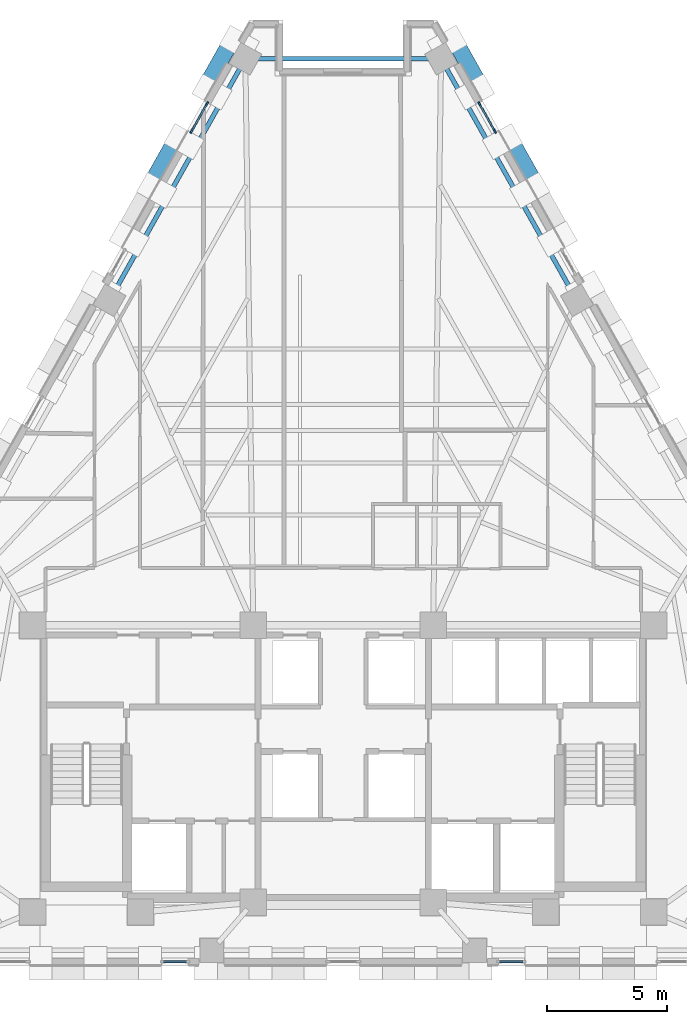
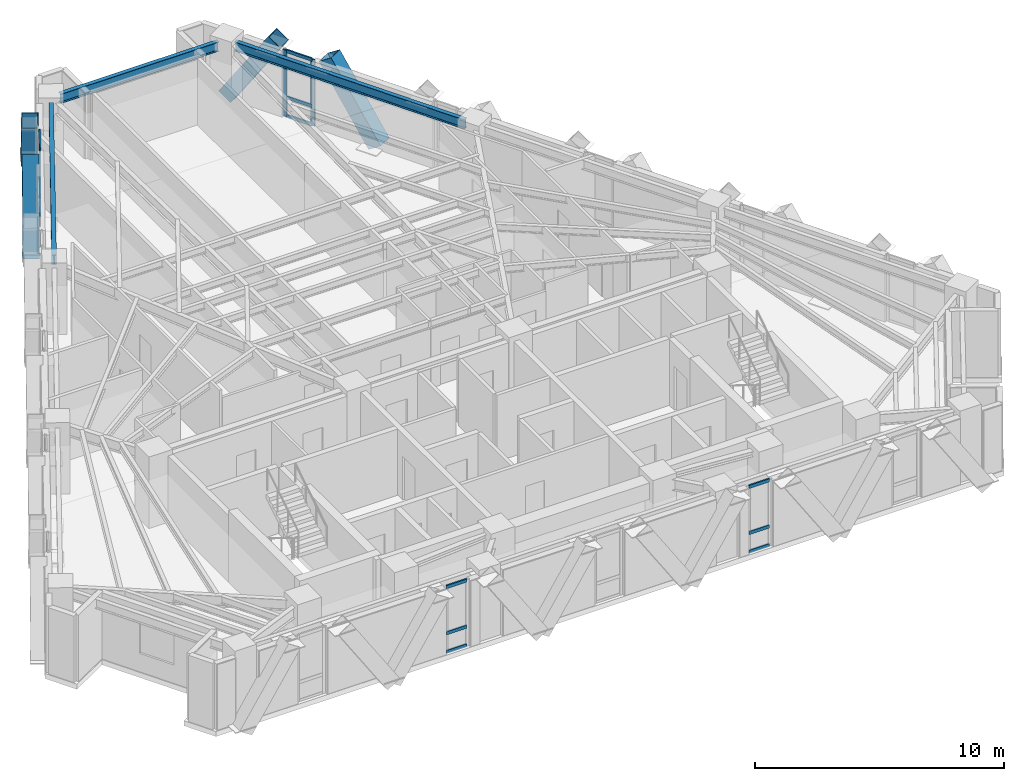
# One storey, part 5 of 13: 20 members, 3 beams, 4 elements without a shape of their own.
"""IFC4 building model written with IfcOpenShell, lengths in metres."""

from ifc_helpers import new_model, si_unit, direction, frame, origin, origin_2d, place, context, subcontext, project, spatial, rectangle, hollow_rectangle, i_section, extrude, material, material_profile, profile_set, type_object, element, aggregate, save


model = new_model("IFC4")

# Units and contexts
model_context = context("Model", 3, precision=1e-05, world=origin(), true_north=direction((0.0, 1.0)))
body_context = subcontext(model_context, "Body", "Model", "MODEL_VIEW")
ifc_project = project(units=[si_unit("LENGTHUNIT", "METRE"), si_unit("AREAUNIT", "SQUARE_METRE"), si_unit("VOLUMEUNIT", "CUBIC_METRE"), si_unit("PLANEANGLEUNIT", "RADIAN"), si_unit("MASSUNIT", "GRAM", prefix="KILO")], contexts=[model_context])

# Site, building, storey
site_placement = place(None, origin())
site = spatial("IfcSite", under=ifc_project, at=site_placement, CompositionType="ELEMENT")
building_placement = place(site_placement, origin())
building = spatial("IfcBuilding", under=site, at=building_placement, Name="Quenlor Broadcast Tower", CompositionType="ELEMENT")
storey_placement = place(building_placement, frame((0.0, 0.0, 172.0)))
storey = spatial("IfcBuildingStorey", under=building, at=storey_placement, Name="L47", CompositionType="ELEMENT", Elevation=172.0)

# Curtain wall, members
ifc_material_1 = material(Name="Architectural Terracotta and Low-E Glazing", Category="masonry")
curtain_wall_type = type_object("IfcCurtainWallType", Name="Unitised Terracotta Curtain Wall System Z3", PredefinedType="NOTDEFINED", material=ifc_material_1)
curtain_wall_1_placement = place(storey_placement, origin())
curtain_wall_1 = element("IfcCurtainWall", 1, at=curtain_wall_1_placement, inside=storey, type_object=curtain_wall_type, Name="L47 Curtain Wall CW3 (L47-NEA-G1)", PredefinedType="NOTDEFINED")
ifc_material_2 = material(Name="Aluminium 6063-T6", Category="aluminium")
ifc_material_profile_1 = material_profile(ifc_material_2, rectangle(XDim=0.070068359375, YDim=0.18994140625, at=origin_2d()))
ifc_profile_set_1 = profile_set([ifc_material_profile_1], Name="Aluminium 6063-T6 MULL70x190")
member_type_1 = type_object("IfcMemberType", Name="CW3 Aluminium Mullion MULL_CW3", PredefinedType="MULLION", material=ifc_profile_set_1)
member_1_placement = place(storey_placement, frame((5.677978515625, 16.94921875, 0.0), z_axis=(0.0, 0.0, 1.0), x_axis=(0.871592831439, 0.490230492916, 0.0)))
member_1 = element("IfcMember", 2, at=member_1_placement, type_object=member_type_1, Name="CW3 mullion 1", PredefinedType="MULLION", context=body_context, shape_type="SweptSolid", body=[
    extrude(rectangle(XDim=0.070068359375, YDim=0.18994140625, at=origin_2d()), origin(), (0.0, 0.0, 1.0), 3.25),
])
member_2_placement = place(storey_placement, frame((6.324951171875, 15.798828125, 0.0), z_axis=(0.0, 0.0, 1.0), x_axis=(0.871592831439, 0.490230492916, 0.0)))
member_2 = element("IfcMember", 3, at=member_2_placement, type_object=member_type_1, Name="CW3 mullion 2", PredefinedType="MULLION", context=body_context, shape_type="SweptSolid", body=[
    extrude(rectangle(XDim=0.070068359375, YDim=0.18994140625, at=origin_2d()), origin(), (0.0, 0.0, 1.0), 3.25),
])

curtain_wall_2_placement = place(storey_placement, origin())
curtain_wall_2 = element("IfcCurtainWall", 4, at=curtain_wall_2_placement, inside=storey, type_object=curtain_wall_type, Name="L47 Curtain Wall CW3 (L47-NWC-G2)", PredefinedType="NOTDEFINED")
member_3_placement = place(storey_placement, frame((-6.324951171875, 15.798828125, 0.0), z_axis=(0.0, 0.0, 1.0), x_axis=(-0.871592831439, 0.490230492916, 0.0)))
member_3 = element("IfcMember", 5, at=member_3_placement, type_object=member_type_1, Name="CW3 mullion 1", PredefinedType="MULLION", context=body_context, shape_type="SweptSolid", body=[
    extrude(rectangle(XDim=0.070068359375, YDim=0.18994140625, at=origin_2d()), origin(), (0.0, 0.0, 1.0), 3.25),
])
member_4_placement = place(storey_placement, frame((-5.677978515625, 16.94921875, 0.0), z_axis=(0.0, 0.0, 1.0), x_axis=(-0.871592831439, 0.490230492916, 0.0)))
member_4 = element("IfcMember", 6, at=member_4_placement, type_object=member_type_1, Name="CW3 mullion 2", PredefinedType="MULLION", context=body_context, shape_type="SweptSolid", body=[
    extrude(rectangle(XDim=0.070068359375, YDim=0.18994140625, at=origin_2d()), origin(), (0.0, 0.0, 1.0), 3.25),
])

curtain_wall_3_placement = place(storey_placement, origin())
curtain_wall_3 = element("IfcCurtainWall", 7, at=curtain_wall_3_placement, inside=storey, type_object=curtain_wall_type, Name="L47 Curtain Wall CW3 (L47-SA-G2)", PredefinedType="NOTDEFINED")
ifc_material_3 = material(Name="Aluminium 6063-T6", Category="aluminium")
ifc_material_profile_2 = material_profile(ifc_material_3, rectangle(XDim=0.070068359375, YDim=0.155029296875, at=origin_2d()))
ifc_profile_set_2 = profile_set([ifc_material_profile_2], Name="Aluminium 6063-T6 TRAN70x155")
member_type_2 = type_object("IfcMemberType", Name="CW3 Aluminium Transom TRAN_CW3", PredefinedType="USERDEFINED", material=ifc_profile_set_2)
member_5_placement = place(storey_placement, frame((7.487060546875, -18.824951171875, 0.034912109375), z_axis=(-1.0, 0.0, 0.0), x_axis=(0.0, -1.0, 0.0)))
member_5 = element("IfcMember", 8, at=member_5_placement, type_object=member_type_2, Name="CW3 transom 1.1", ObjectType="TRANSOM", PredefinedType="USERDEFINED", context=body_context, shape_type="SweptSolid", body=[
    extrude(rectangle(XDim=0.070068359375, YDim=0.155029296875, at=origin_2d()), origin(), (0.0, 0.0, 1.0), 0.951171875),
])
member_6_placement = place(storey_placement, frame((7.487060546875, -18.824951171875, 0.949951171875), z_axis=(-1.0, 0.0, 0.0), x_axis=(0.0, -1.0, 0.0)))
member_6 = element("IfcMember", 9, at=member_6_placement, type_object=member_type_2, Name="CW3 transom 1.2", ObjectType="TRANSOM", PredefinedType="USERDEFINED", context=body_context, shape_type="SweptSolid", body=[
    extrude(rectangle(XDim=0.070068359375, YDim=0.155029296875, at=origin_2d()), origin(), (0.0, 0.0, 1.0), 0.951171875),
])
member_7_placement = place(storey_placement, frame((7.487060546875, -18.824951171875, 3.215087890625), z_axis=(-1.0, 0.0, 0.0), x_axis=(0.0, -1.0, 0.0)))
member_7 = element("IfcMember", 10, at=member_7_placement, type_object=member_type_2, Name="CW3 transom 1.3", ObjectType="TRANSOM", PredefinedType="USERDEFINED", context=body_context, shape_type="SweptSolid", body=[
    extrude(rectangle(XDim=0.070068359375, YDim=0.155029296875, at=origin_2d()), origin(), (0.0, 0.0, 1.0), 0.951171875),
])
aggregate(curtain_wall_3, [member_5, member_6, member_7])

curtain_wall_4_placement = place(storey_placement, origin())
curtain_wall_4 = element("IfcCurtainWall", 11, at=curtain_wall_4_placement, inside=storey, type_object=curtain_wall_type, Name="L47 Curtain Wall CW3 (L47-SC-G1)", PredefinedType="NOTDEFINED")
member_8_placement = place(storey_placement, frame((-6.535888671875, -18.824951171875, 0.034912109375), z_axis=(-1.0, 0.0, 0.0), x_axis=(0.0, -1.0, 0.0)))
member_8 = element("IfcMember", 12, at=member_8_placement, type_object=member_type_2, Name="CW3 transom 1.1", ObjectType="TRANSOM", PredefinedType="USERDEFINED", context=body_context, shape_type="SweptSolid", body=[
    extrude(rectangle(XDim=0.070068359375, YDim=0.155029296875, at=origin_2d()), origin(), (0.0, 0.0, 1.0), 0.951171875),
])
member_9_placement = place(storey_placement, frame((-6.535888671875, -18.824951171875, 0.949951171875), z_axis=(-1.0, 0.0, 0.0), x_axis=(0.0, -1.0, 0.0)))
member_9 = element("IfcMember", 13, at=member_9_placement, type_object=member_type_2, Name="CW3 transom 1.2", ObjectType="TRANSOM", PredefinedType="USERDEFINED", context=body_context, shape_type="SweptSolid", body=[
    extrude(rectangle(XDim=0.070068359375, YDim=0.155029296875, at=origin_2d()), origin(), (0.0, 0.0, 1.0), 0.951171875),
])
member_10_placement = place(storey_placement, frame((-6.535888671875, -18.824951171875, 3.215087890625), z_axis=(-1.0, 0.0, 0.0), x_axis=(0.0, -1.0, 0.0)))
member_10 = element("IfcMember", 14, at=member_10_placement, type_object=member_type_2, Name="CW3 transom 1.3", ObjectType="TRANSOM", PredefinedType="USERDEFINED", context=body_context, shape_type="SweptSolid", body=[
    extrude(rectangle(XDim=0.070068359375, YDim=0.155029296875, at=origin_2d()), origin(), (0.0, 0.0, 1.0), 0.951171875),
])
aggregate(curtain_wall_4, [member_8, member_9, member_10])

# Member
member_11_placement = place(storey_placement, frame((5.695068359375, 16.918701171875, 0.034912109375), z_axis=(0.490131387775, -0.871648566062, 0.0), x_axis=(0.871648566062, 0.490131387775, 0.0)))
member_11 = element("IfcMember", 15, at=member_11_placement, type_object=member_type_2, Name="CW3 transom 1.1", ObjectType="TRANSOM", PredefinedType="USERDEFINED", context=body_context, shape_type="SweptSolid", body=[
    extrude(rectangle(XDim=0.070068359375, YDim=0.155029296875, at=origin_2d()), origin(), (0.0, 0.0, 1.0), 1.249755859375),
])

member_12_placement = place(storey_placement, frame((5.695068359375, 16.918701171875, 0.949951171875), z_axis=(0.490131387775, -0.871648566062, 0.0), x_axis=(0.871648566062, 0.490131387775, 0.0)))
member_12 = element("IfcMember", 16, at=member_12_placement, type_object=member_type_2, Name="CW3 transom 1.2", ObjectType="TRANSOM", PredefinedType="USERDEFINED", context=body_context, shape_type="SweptSolid", body=[
    extrude(rectangle(XDim=0.070068359375, YDim=0.155029296875, at=origin_2d()), origin(), (0.0, 0.0, 1.0), 1.249755859375),
])

member_13_placement = place(storey_placement, frame((5.695068359375, 16.918701171875, 3.215087890625), z_axis=(0.490131387775, -0.871648566062, 0.0), x_axis=(0.871648566062, 0.490131387775, 0.0)))
member_13 = element("IfcMember", 17, at=member_13_placement, type_object=member_type_2, Name="CW3 transom 1.3", ObjectType="TRANSOM", PredefinedType="USERDEFINED", context=body_context, shape_type="SweptSolid", body=[
    extrude(rectangle(XDim=0.070068359375, YDim=0.155029296875, at=origin_2d()), origin(), (0.0, 0.0, 1.0), 1.249755859375),
])

aggregate(curtain_wall_1, [member_1, member_2, member_11, member_12, member_13])

member_14_placement = place(storey_placement, frame((-6.3076171875, 15.829345703125, 0.034912109375), z_axis=(0.490131387775, 0.871648566062, 0.0), x_axis=(-0.871648566062, 0.490131387775, 0.0)))
member_14 = element("IfcMember", 18, at=member_14_placement, type_object=member_type_2, Name="CW3 transom 1.1", ObjectType="TRANSOM", PredefinedType="USERDEFINED", context=body_context, shape_type="SweptSolid", body=[
    extrude(rectangle(XDim=0.070068359375, YDim=0.155029296875, at=origin_2d()), origin(), (0.0, 0.0, 1.0), 1.249755859375),
])

member_15_placement = place(storey_placement, frame((-6.3076171875, 15.829345703125, 0.949951171875), z_axis=(0.490131387775, 0.871648566062, 0.0), x_axis=(-0.871648566062, 0.490131387775, 0.0)))
member_15 = element("IfcMember", 19, at=member_15_placement, type_object=member_type_2, Name="CW3 transom 1.2", ObjectType="TRANSOM", PredefinedType="USERDEFINED", context=body_context, shape_type="SweptSolid", body=[
    extrude(rectangle(XDim=0.070068359375, YDim=0.155029296875, at=origin_2d()), origin(), (0.0, 0.0, 1.0), 1.249755859375),
])

member_16_placement = place(storey_placement, frame((-6.3076171875, 15.829345703125, 3.215087890625), z_axis=(0.490131387775, 0.871648566062, 0.0), x_axis=(-0.871648566062, 0.490131387775, 0.0)))
member_16 = element("IfcMember", 20, at=member_16_placement, type_object=member_type_2, Name="CW3 transom 1.3", ObjectType="TRANSOM", PredefinedType="USERDEFINED", context=body_context, shape_type="SweptSolid", body=[
    extrude(rectangle(XDim=0.070068359375, YDim=0.155029296875, at=origin_2d()), origin(), (0.0, 0.0, 1.0), 1.249755859375),
])

aggregate(curtain_wall_2, [member_3, member_4, member_14, member_15, member_16])

# Members
ifc_material_4 = material(Name="Steel S355", Category="steel")
ifc_material_profile_3 = material_profile(ifc_material_4, hollow_rectangle(XDim=0.679931640625, YDim=0.679931640625, WallThickness=0.02490234375, at=origin_2d()))
ifc_profile_set_3 = profile_set([ifc_material_profile_3], Name="Steel S355 RHS680x680x25")
member_type_3 = type_object("IfcMemberType", Name="Perimeter Diagonal Lattice Brace Z3-Z4 Steel S355 RHS680x25", PredefinedType="BRACE", material=ifc_profile_set_3)
for number, where, z_axis, x_axis, name in (
    (21, (4.62841796875, 19.620361328125, -0.1201171875), (0.2705491942, -0.481008661973, 0.833926735766), (0.871589611547, 0.490236217596, 0.0), "L47 Perimeter Diamond Lattice NE-C1S"),
    (22, (8.062744140625, 13.514892578125, -0.1201171875), (-0.2705491942, 0.481008661973, 0.833926735766), (-0.871589611547, -0.490236217596, 0.0), "L47 Perimeter Diamond Lattice NE-C1B"),
    (23, (-8.062744140625, 13.514892578125, -0.1201171875), (0.2705491942, 0.481008661973, 0.833926735766), (-0.871589611547, 0.490236217596, 0.0), "L47 Perimeter Diamond Lattice NW-C5S"),
    (24, (-4.62841796875, 19.620361328125, -0.1201171875), (-0.2705491942, -0.481008661973, 0.833926735766), (0.871589611547, -0.490236217596, 0.0), "L47 Perimeter Diamond Lattice NW-C5B"),
):
    element("IfcMember", number, at=place(storey_placement, frame(where, z_axis=z_axis, x_axis=x_axis)), inside=storey, type_object=member_type_3, Name=name, PredefinedType="BRACE", context=body_context, shape_type="SweptSolid", body=[
        extrude(hollow_rectangle(XDim=0.679931640625, YDim=0.679931640625, WallThickness=0.02490234375, at=origin_2d()), origin(), (0.0, 0.0, 1.0), 4.197021484375),
    ])

# Beams
ifc_material_5 = material(Name="Steel S355", Category="steel")
ifc_material_profile_4 = material_profile(ifc_material_5, i_section(OverallWidth=0.19091796875, OverallDepth=0.46044921875, WebThickness=0.010009765625, FlangeThickness=0.01611328125, FilletRadius=0.011474609375, at=origin_2d()))
ifc_profile_set_4 = profile_set([ifc_material_profile_4], Name="Steel S355 460UB82.1")
beam_type = type_object("IfcBeamType", Name="Perimeter Spandrel Beam Z3 Steel S355 460UB82.1", PredefinedType="SPANDREL", material=ifc_profile_set_4)
beam_1_placement = place(storey_placement, frame((9.5419921875, 9.110595703125, 3.019775390625), z_axis=(-0.490257999604, 0.871577359633, 0.0), x_axis=(-0.871577359633, -0.490257999604, 0.0)))
element("IfcBeam", 25, at=beam_1_placement, inside=storey, type_object=beam_type, Name="L47 Spandrel Beam NE3-NE4", PredefinedType="SPANDREL", context=body_context, shape_type="SweptSolid", body=[
    extrude(i_section(OverallWidth=0.19091796875, OverallDepth=0.46044921875, WebThickness=0.010009765625, FlangeThickness=0.01611328125, FilletRadius=0.011474609375, at=origin_2d()), origin(), (0.0, 0.0, 1.0), 10.732666015625),
])
beam_2_placement = place(storey_placement, frame((3.669189453125, 18.822021484375, 3.019775390625), z_axis=(-1.0, 0.0, 0.0), x_axis=(0.0, -1.0, 0.0)))
element("IfcBeam", 26, at=beam_2_placement, inside=storey, type_object=beam_type, Name="L47 Spandrel Beam NE4-NW1", PredefinedType="SPANDREL", context=body_context, shape_type="SweptSolid", body=[
    extrude(i_section(OverallWidth=0.19091796875, OverallDepth=0.46044921875, WebThickness=0.010009765625, FlangeThickness=0.01611328125, FilletRadius=0.011474609375, at=origin_2d()), origin(), (0.0, 0.0, 1.0), 7.33837890625),
])
beam_3_placement = place(storey_placement, frame((-4.2802734375, 18.46484375, 3.019775390625), z_axis=(-0.490257999604, -0.871577359633, 0.0), x_axis=(0.871577359633, -0.490257999604, 0.0)))
element("IfcBeam", 27, at=beam_3_placement, inside=storey, type_object=beam_type, Name="L47 Spandrel Beam NW1-NW2", PredefinedType="SPANDREL", context=body_context, shape_type="SweptSolid", body=[
    extrude(i_section(OverallWidth=0.19091796875, OverallDepth=0.46044921875, WebThickness=0.010009765625, FlangeThickness=0.01611328125, FilletRadius=0.011474609375, at=origin_2d()), origin(), (0.0, 0.0, 1.0), 10.732666015625),
])

save(model, "model.ifc")
